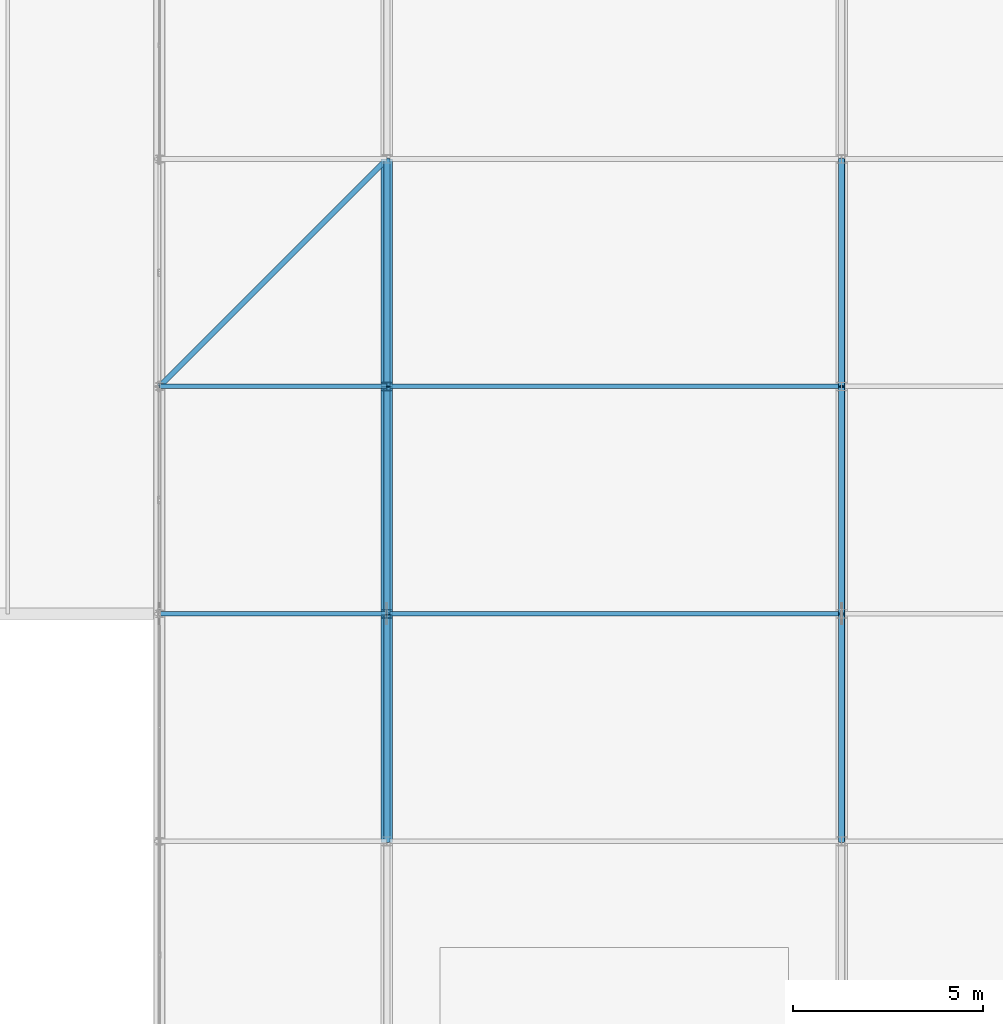
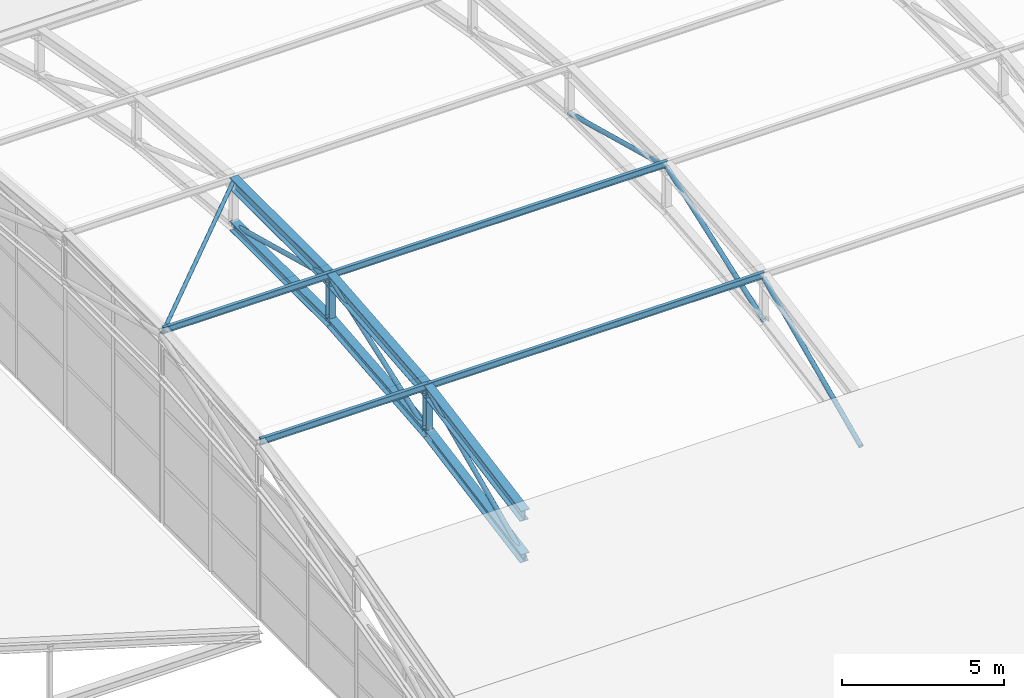
# One storey, part 27 of 204: 19 members.
"""IFC4 building model written with IfcOpenShell, lengths in metres."""

from ifc_helpers import new_model, si_unit, direction, frame, origin, origin_2d, place, context, subcontext, project, spatial, hollow_circle, i_section, extrude, material, material_profile, profile_set, type_object, element, save


model = new_model("IFC4")

# Units and contexts
model_context = context("Model", 3, precision=1e-05, world=origin(), true_north=direction((0.0, 1.0)))
body_context = subcontext(model_context, "Body", "Model", "MODEL_VIEW")
ifc_project = project(units=[si_unit("LENGTHUNIT", "METRE"), si_unit("AREAUNIT", "SQUARE_METRE"), si_unit("VOLUMEUNIT", "CUBIC_METRE"), si_unit("PLANEANGLEUNIT", "RADIAN"), si_unit("MASSUNIT", "GRAM", prefix="KILO")], contexts=[model_context])

# Site, building, storey
site_placement = place(None, origin())
site = spatial("IfcSite", under=ifc_project, at=site_placement, CompositionType="ELEMENT")
building_placement = place(site_placement, origin())
building = spatial("IfcBuilding", under=site, at=building_placement, Name="Zilviju Railside Exhibition Hall", CompositionType="ELEMENT")
storey_placement = place(building_placement, frame((0.0, 0.0, 21.0)))
storey = spatial("IfcBuildingStorey", under=building, at=storey_placement, Name="RF", CompositionType="ELEMENT", Elevation=21.0)

# Members
ifc_material = material(Name="Steel S355J2", Category="steel")
ifc_material_profile_1 = material_profile(ifc_material, hollow_circle(Radius=0.06982421875, WallThickness=0.00634765625, at=origin_2d()), Name="CHS 139.7x6.3")
ifc_profile_set_1 = profile_set([ifc_material_profile_1], Name="Steel S355J2")
member_type_1 = type_object("IfcMemberType", Name="TR-BR-CHS139", PredefinedType="BRACE", material=ifc_profile_set_1)
member_1_placement = place(storey_placement, frame((78.0, 24.0, -0.604248046875), z_axis=(0.707106781187, 0.707106781187, 0.0), x_axis=(-0.707106781187, 0.707106781187, 0.0)))
element("IfcMember", 1, at=member_1_placement, inside=storey, type_object=member_type_1, Name="V1 Roof Wind Brace (78.0..84.0)", PredefinedType="BRACE", context=body_context, shape_type="SweptSolid", body=[
    extrude(hollow_circle(Radius=0.06982421875, WallThickness=0.00634765625, at=origin_2d()), origin(), (0.0, 0.0, 1.0), 8.4853515625),
])
ifc_material_profile_2 = material_profile(ifc_material, hollow_circle(Radius=0.084228515625, WallThickness=0.008056640625, at=origin_2d()), Name="CHS 168.3x8.0")
ifc_profile_set_2 = profile_set([ifc_material_profile_2], Name="Steel S355J2")
member_type_2 = type_object("IfcMemberType", Name="TR-BR-CHS168", PredefinedType="BRACE", material=ifc_profile_set_2)
member_2_placement = place(storey_placement, frame((84.0, 12.0, -3.928466796875), z_axis=(0.0, 0.911563042822, 0.411160332425), x_axis=(-1.0, 0.0, 0.0)))
element("IfcMember", 2, at=member_2_placement, inside=storey, type_object=member_type_2, Name="V1 Parabolic Arch Web Diagonal X=84.0 P3", PredefinedType="BRACE", context=body_context, shape_type="SweptSolid", body=[
    extrude(hollow_circle(Radius=0.084228515625, WallThickness=0.008056640625, at=origin_2d()), origin(), (0.0, 0.0, 1.0), 6.58203125),
])
member_3_placement = place(storey_placement, frame((84.0, 18.0, -2.822265625), z_axis=(0.0, 0.94123307508, 0.337757751023), x_axis=(-1.0, 0.0, 0.0)))
element("IfcMember", 3, at=member_3_placement, inside=storey, type_object=member_type_2, Name="V1 Parabolic Arch Web Diagonal X=84.0 P4", PredefinedType="BRACE", context=body_context, shape_type="SweptSolid", body=[
    extrude(hollow_circle(Radius=0.084228515625, WallThickness=0.008056640625, at=origin_2d()), origin(), (0.0, 0.0, 1.0), 6.37451171875),
])
member_4_placement = place(storey_placement, frame((84.0, 24.0, -0.669189453125), z_axis=(0.0, 0.966240812345, -0.257640626762), x_axis=(-1.0, 0.0, 0.0)))
element("IfcMember", 4, at=member_4_placement, inside=storey, type_object=member_type_2, Name="V1 Parabolic Arch Web Diagonal X=84.0 P5", PredefinedType="BRACE", context=body_context, shape_type="SweptSolid", body=[
    extrude(hollow_circle(Radius=0.084228515625, WallThickness=0.008056640625, at=origin_2d()), origin(), (0.0, 0.0, 1.0), 6.209716796875),
])
member_5_placement = place(storey_placement, frame((96.0, 12.0, -3.928466796875), z_axis=(0.0, 0.911563042822, 0.411160332425), x_axis=(-1.0, 0.0, 0.0)))
element("IfcMember", 5, at=member_5_placement, inside=storey, type_object=member_type_2, Name="V1 Parabolic Arch Web Diagonal X=96.0 P3", PredefinedType="BRACE", context=body_context, shape_type="SweptSolid", body=[
    extrude(hollow_circle(Radius=0.084228515625, WallThickness=0.008056640625, at=origin_2d()), origin(), (0.0, 0.0, 1.0), 6.58203125),
])
member_6_placement = place(storey_placement, frame((96.0, 18.0, -2.822265625), z_axis=(0.0, 0.94123307508, 0.337757751023), x_axis=(-1.0, 0.0, 0.0)))
element("IfcMember", 6, at=member_6_placement, inside=storey, type_object=member_type_2, Name="V1 Parabolic Arch Web Diagonal X=96.0 P4", PredefinedType="BRACE", context=body_context, shape_type="SweptSolid", body=[
    extrude(hollow_circle(Radius=0.084228515625, WallThickness=0.008056640625, at=origin_2d()), origin(), (0.0, 0.0, 1.0), 6.37451171875),
])
member_7_placement = place(storey_placement, frame((96.0, 24.0, -0.669189453125), z_axis=(0.0, 0.966240812345, -0.257640626762), x_axis=(-1.0, 0.0, 0.0)))
element("IfcMember", 7, at=member_7_placement, inside=storey, type_object=member_type_2, Name="V1 Parabolic Arch Web Diagonal X=96.0 P5", PredefinedType="BRACE", context=body_context, shape_type="SweptSolid", body=[
    extrude(hollow_circle(Radius=0.084228515625, WallThickness=0.008056640625, at=origin_2d()), origin(), (0.0, 0.0, 1.0), 6.209716796875),
])
ifc_material_profile_3 = material_profile(ifc_material, i_section(OverallWidth=0.300048828125, OverallDepth=0.360107421875, WebThickness=0.012451171875, FlangeThickness=0.0224609375, at=origin_2d()), Name="HEB 360")
ifc_profile_set_3 = profile_set([ifc_material_profile_3], Name="Steel S355J2")
member_type_3 = type_object("IfcMemberType", Name="TR-CH-HEB360", PredefinedType="CHORD", material=ifc_profile_set_3)
member_8_placement = place(storey_placement, frame((84.0, 12.0, -3.928466796875), z_axis=(0.0, 0.98342578549, 0.18131112606), x_axis=(-1.0, 0.0, 0.0)))
element("IfcMember", 8, at=member_8_placement, inside=storey, type_object=member_type_3, Name="V1 Parabolic Arch Bottom Chord X=84.0 P3", PredefinedType="CHORD", context=body_context, shape_type="SweptSolid", body=[
    extrude(i_section(OverallWidth=0.300048828125, OverallDepth=0.360107421875, WebThickness=0.012451171875, FlangeThickness=0.0224609375, at=origin_2d()), origin(), (0.0, 0.0, 1.0), 6.10107421875),
])
member_9_placement = place(storey_placement, frame((84.0, 18.0, -2.822265625), z_axis=(0.0, 0.995776144786, 0.091814320641), x_axis=(-1.0, 0.0, 0.0)))
element("IfcMember", 9, at=member_9_placement, inside=storey, type_object=member_type_3, Name="V1 Parabolic Arch Bottom Chord X=84.0 P4", PredefinedType="CHORD", context=body_context, shape_type="SweptSolid", body=[
    extrude(i_section(OverallWidth=0.300048828125, OverallDepth=0.360107421875, WebThickness=0.012451171875, FlangeThickness=0.0224609375, at=origin_2d()), origin(), (0.0, 0.0, 1.0), 6.025390625),
])
member_10_placement = place(storey_placement, frame((84.0, 24.0, -2.26904296875), z_axis=(0.0, 1.0, 0.0), x_axis=(-1.0, 0.0, 0.0)))
element("IfcMember", 10, at=member_10_placement, inside=storey, type_object=member_type_3, Name="V1 Parabolic Arch Bottom Chord X=84.0 P5", PredefinedType="CHORD", context=body_context, shape_type="SweptSolid", body=[
    extrude(i_section(OverallWidth=0.300048828125, OverallDepth=0.360107421875, WebThickness=0.012451171875, FlangeThickness=0.0224609375, at=origin_2d()), origin(), (0.0, 0.0, 1.0), 6.0),
])
ifc_material_profile_4 = material_profile(ifc_material, i_section(OverallWidth=0.300048828125, OverallDepth=0.449951171875, WebThickness=0.013916015625, FlangeThickness=0.02587890625, at=origin_2d()), Name="HEB 450")
ifc_profile_set_4 = profile_set([ifc_material_profile_4], Name="Steel S355J2")
member_type_4 = type_object("IfcMemberType", Name="TR-CH-HEB450", PredefinedType="CHORD", material=ifc_profile_set_4)
member_11_placement = place(storey_placement, frame((84.0, 12.0, -2.328369140625), z_axis=(0.0, 0.98342578549, 0.18131112606), x_axis=(-1.0, 0.0, 0.0)))
element("IfcMember", 11, at=member_11_placement, inside=storey, type_object=member_type_4, Name="V1 Parabolic Arch Top Chord X=84.0 P3", PredefinedType="CHORD", context=body_context, shape_type="SweptSolid", body=[
    extrude(i_section(OverallWidth=0.300048828125, OverallDepth=0.449951171875, WebThickness=0.013916015625, FlangeThickness=0.02587890625, at=origin_2d()), origin(), (0.0, 0.0, 1.0), 6.10107421875),
])
member_12_placement = place(storey_placement, frame((84.0, 18.0, -1.22216796875), z_axis=(0.0, 0.99577984843, 0.091774143746), x_axis=(-1.0, 0.0, 0.0)))
element("IfcMember", 12, at=member_12_placement, inside=storey, type_object=member_type_4, Name="V1 Parabolic Arch Top Chord X=84.0 P4", PredefinedType="CHORD", context=body_context, shape_type="SweptSolid", body=[
    extrude(i_section(OverallWidth=0.300048828125, OverallDepth=0.449951171875, WebThickness=0.013916015625, FlangeThickness=0.02587890625, at=origin_2d()), origin(), (0.0, 0.0, 1.0), 6.025390625),
])
member_13_placement = place(storey_placement, frame((84.0, 24.0, -0.669189453125), z_axis=(0.0, 1.0, 0.0), x_axis=(-1.0, 0.0, 0.0)))
element("IfcMember", 13, at=member_13_placement, inside=storey, type_object=member_type_4, Name="V1 Parabolic Arch Top Chord X=84.0 P5", PredefinedType="CHORD", context=body_context, shape_type="SweptSolid", body=[
    extrude(i_section(OverallWidth=0.300048828125, OverallDepth=0.449951171875, WebThickness=0.013916015625, FlangeThickness=0.02587890625, at=origin_2d()), origin(), (0.0, 0.0, 1.0), 6.0),
])
ifc_material_profile_5 = material_profile(ifc_material, i_section(OverallWidth=0.239990234375, OverallDepth=0.22998046875, WebThickness=0.007568359375, FlangeThickness=0.011962890625, at=origin_2d()), Name="HEA 240")
ifc_profile_set_5 = profile_set([ifc_material_profile_5], Name="Steel S355J2")
member_type_5 = type_object("IfcMemberType", Name="TR-POST-HEA240", PredefinedType="POST", material=ifc_profile_set_5)
member_14_placement = place(storey_placement, frame((84.0, 18.0, -2.822265625), z_axis=(0.0, 0.0, 1.0), x_axis=(1.0, 0.0, 0.0)))
element("IfcMember", 14, at=member_14_placement, inside=storey, type_object=member_type_5, Name="V1 Parabolic Arch Web Post X=84.0 N3", PredefinedType="POST", context=body_context, shape_type="SweptSolid", body=[
    extrude(i_section(OverallWidth=0.239990234375, OverallDepth=0.22998046875, WebThickness=0.007568359375, FlangeThickness=0.011962890625, at=origin_2d()), origin(), (0.0, 0.0, 1.0), 1.60009765625),
])
member_15_placement = place(storey_placement, frame((84.0, 24.0, -2.26904296875), z_axis=(0.0, 0.0, 1.0), x_axis=(1.0, 0.0, 0.0)))
element("IfcMember", 15, at=member_15_placement, inside=storey, type_object=member_type_5, Name="V1 Parabolic Arch Web Post X=84.0 N4", PredefinedType="POST", context=body_context, shape_type="SweptSolid", body=[
    extrude(i_section(OverallWidth=0.239990234375, OverallDepth=0.22998046875, WebThickness=0.007568359375, FlangeThickness=0.011962890625, at=origin_2d()), origin(), (0.0, 0.0, 1.0), 1.599853515625),
])
ifc_material_profile_6 = material_profile(ifc_material, i_section(OverallWidth=0.1201171875, OverallDepth=0.239990234375, WebThickness=0.006103515625, FlangeThickness=0.009765625, at=origin_2d()), Name="IPE 240")
ifc_profile_set_6 = profile_set([ifc_material_profile_6], Name="Steel S355J2")
member_type_6 = type_object("IfcMemberType", Name="TR-PUR-IPE240", PredefinedType="PURLIN", material=ifc_profile_set_6)
for number, where, z_axis, x_axis, name in (
    (16, (78.0, 18.0, -1.0771484375), (1.0, 0.0, 0.0), (0.0, 1.0, 0.0), "V1 Barrel Vault Roof Purlin Y=18.0 (78.0..84.0)"),
    (17, (78.0, 24.0, -0.515625), (1.0, 0.0, 0.0), (0.0, 1.0, 0.0), "V1 Barrel Vault Roof Purlin Y=24.0 (78.0..84.0)"),
):
    element("IfcMember", number, at=place(storey_placement, frame(where, z_axis=z_axis, x_axis=x_axis)), inside=storey, type_object=member_type_6, Name=name, PredefinedType="PURLIN", context=body_context, shape_type="SweptSolid", body=[
        extrude(i_section(OverallWidth=0.1201171875, OverallDepth=0.239990234375, WebThickness=0.006103515625, FlangeThickness=0.009765625, at=origin_2d()), origin(), (0.0, 0.0, 1.0), 6.0),
    ])
for number, where, z_axis, x_axis, name in (
    (18, (84.0, 18.0, -1.0771484375), (1.0, 0.0, 0.0), (0.0, 1.0, 0.0), "V1 Barrel Vault Roof Purlin Y=18.0 (84.0..96.0)"),
    (19, (84.0, 24.0, -0.515625), (1.0, 0.0, 0.0), (0.0, 1.0, 0.0), "V1 Barrel Vault Roof Purlin Y=24.0 (84.0..96.0)"),
):
    element("IfcMember", number, at=place(storey_placement, frame(where, z_axis=z_axis, x_axis=x_axis)), inside=storey, type_object=member_type_6, Name=name, PredefinedType="PURLIN", context=body_context, shape_type="SweptSolid", body=[
        extrude(i_section(OverallWidth=0.1201171875, OverallDepth=0.239990234375, WebThickness=0.006103515625, FlangeThickness=0.009765625, at=origin_2d()), origin(), (0.0, 0.0, 1.0), 12.0),
    ])

save(model, "model.ifc")
